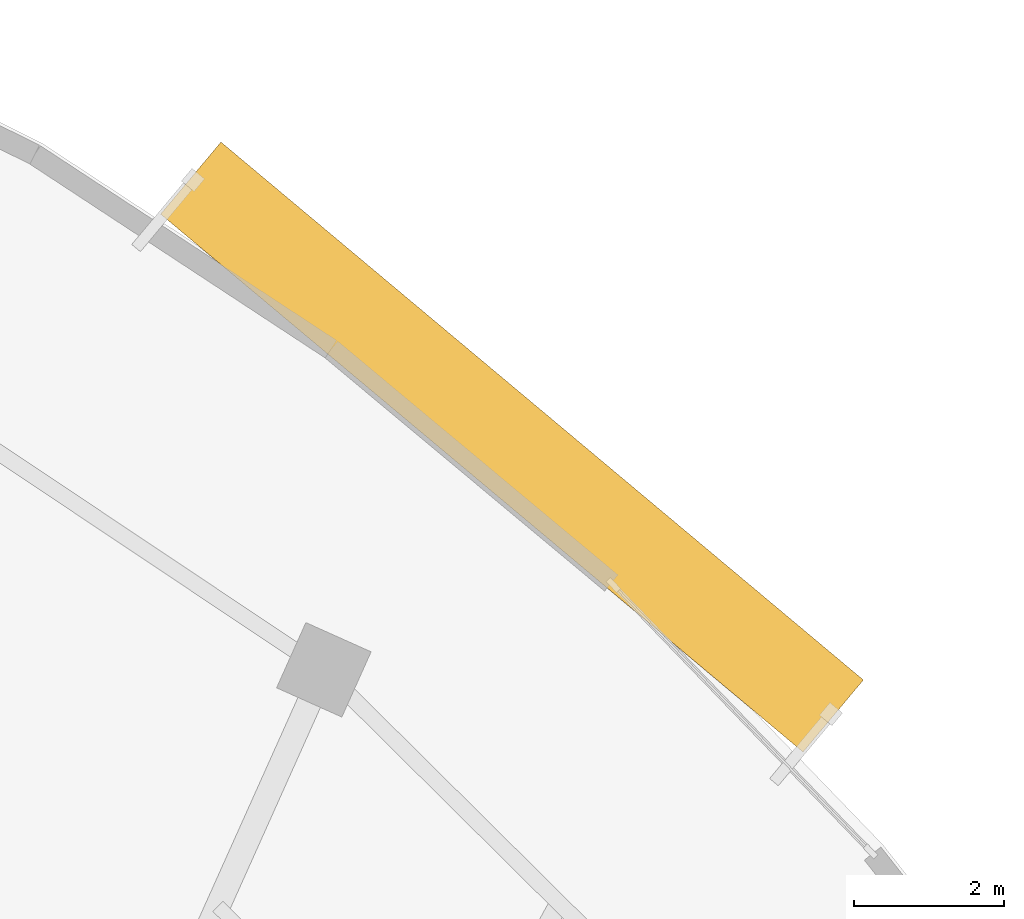
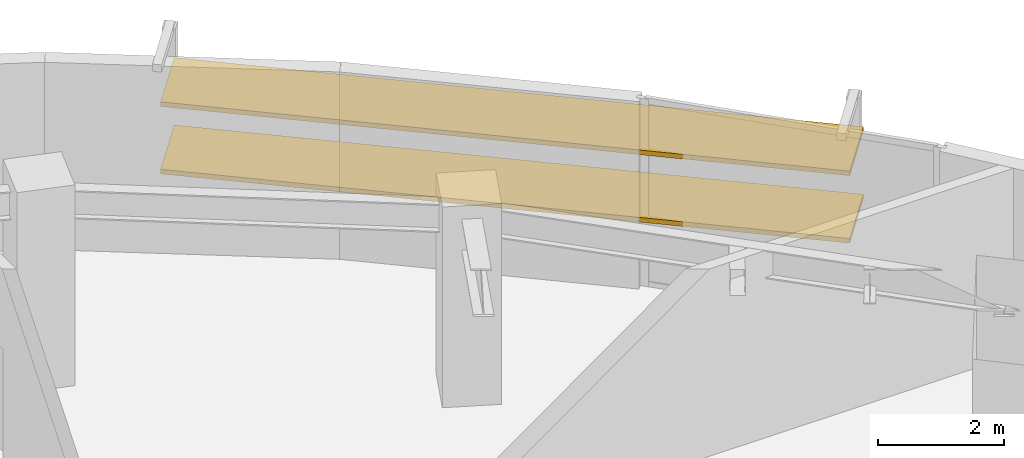
# One storey, part 14 of 14: 2 shading devices.
"""IFC4 building model written with IfcOpenShell, lengths in metres."""

from ifc_helpers import new_model, si_unit, direction, frame, origin, origin_2d, place, context, subcontext, project, spatial, rectangle, extrude, source, transform, mapped, material, material_profile, profile_set, type_object, element, save


model = new_model("IFC4")

# Units and contexts
model_context = context("Model", 3, precision=1e-05, world=origin(), true_north=direction((0.0, 1.0)))
body_context = subcontext(model_context, "Body", "Model", "MODEL_VIEW")
ifc_project = project(units=[si_unit("LENGTHUNIT", "METRE"), si_unit("AREAUNIT", "SQUARE_METRE"), si_unit("VOLUMEUNIT", "CUBIC_METRE"), si_unit("PLANEANGLEUNIT", "RADIAN"), si_unit("MASSUNIT", "GRAM", prefix="KILO")], contexts=[model_context])

# Site, building, storey
site_placement = place(None, origin())
site = spatial("IfcSite", under=ifc_project, at=site_placement, CompositionType="ELEMENT")
building_placement = place(site_placement, origin())
building = spatial("IfcBuilding", under=site, at=building_placement, Name="Breltana Convention Tower", CompositionType="ELEMENT")
storey_placement = place(building_placement, frame((0.0, 0.0, 219.60009765625)))
storey = spatial("IfcBuildingStorey", under=building, at=storey_placement, Name="L53", CompositionType="ELEMENT", Elevation=219.60009765625)

# Shading devices
ifc_material = material(Name="Limestone Warm Buff Honed", Category="masonry")
ifc_material_profile = material_profile(ifc_material, rectangle(XDim=1.25, YDim=0.090087890625, at=origin_2d()), Name="STN-LVR-1250X90")
ifc_profile_set = profile_set([ifc_material_profile], Name="Limestone Warm Buff Honed")
shading_device_type = type_object("IfcShadingDeviceType", Name="SHD-OUTER-SKIN-LIMESTONE-1250", PredefinedType="JALOUSIE", material=ifc_profile_set)
shared_shape = source(origin(), body_context, "Body", "SweptSolid", [
    extrude(rectangle(XDim=1.25, YDim=0.090087890625, at=origin_2d()), origin(), (0.0, 0.0, 1.0), 11.138671875),
])
for number, where, z_axis, x_axis, name in (
    (1, (67.141357421875, 75.169921875, 1.310302734375), (0.76671903432, -0.641982805386, 0.0), (0.641982805386, 0.76671903432, 0.0), "L53 outer skin warm limestone louvre 2.1"),
    (2, (67.141357421875, 75.169921875, 2.62060546875), (0.76671903432, -0.641982805386, 0.0), (0.641982805386, 0.76671903432, 0.0), "L53 outer skin warm limestone louvre 2.2"),
):
    element("IfcShadingDevice", number, at=place(storey_placement, frame(where, z_axis=z_axis, x_axis=x_axis)), inside=storey, type_object=shading_device_type, Name=name, PredefinedType="JALOUSIE", context=body_context, shape_type="MappedRepresentation", body=[
        mapped(shared_shape, transform((0.0, 0.0, 0.0), scale=1.0)),
    ])

save(model, "model.ifc")
